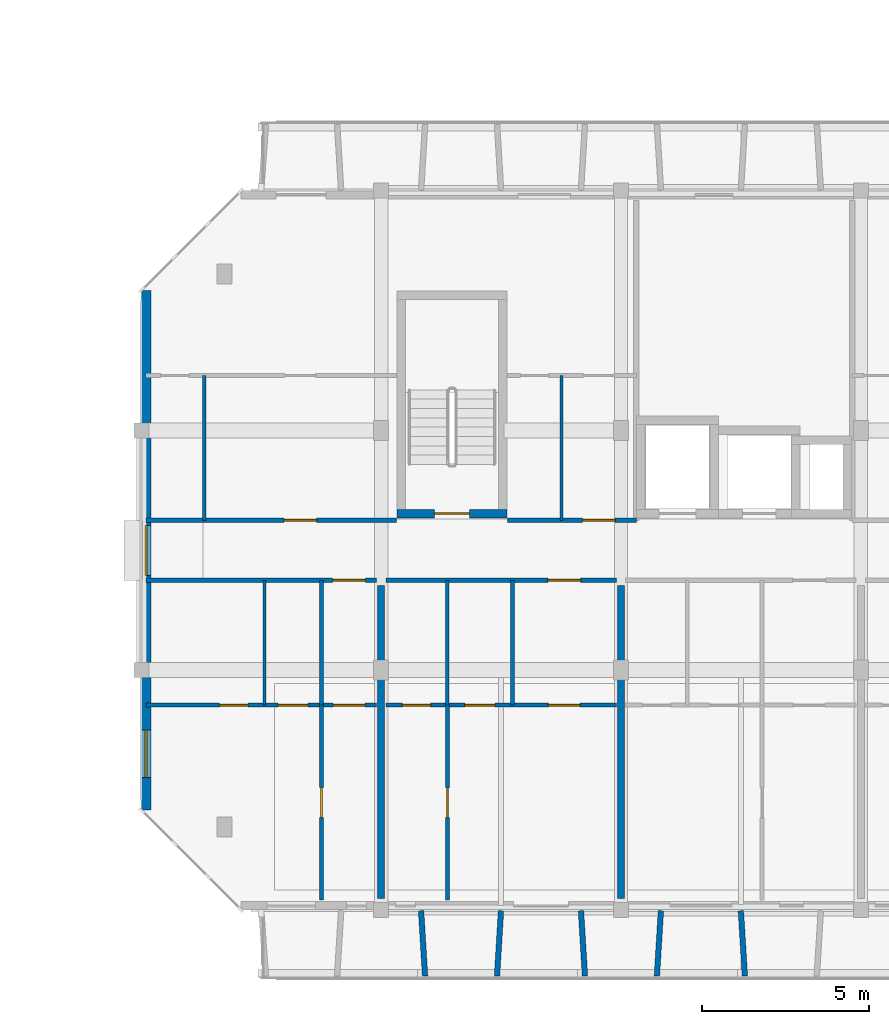
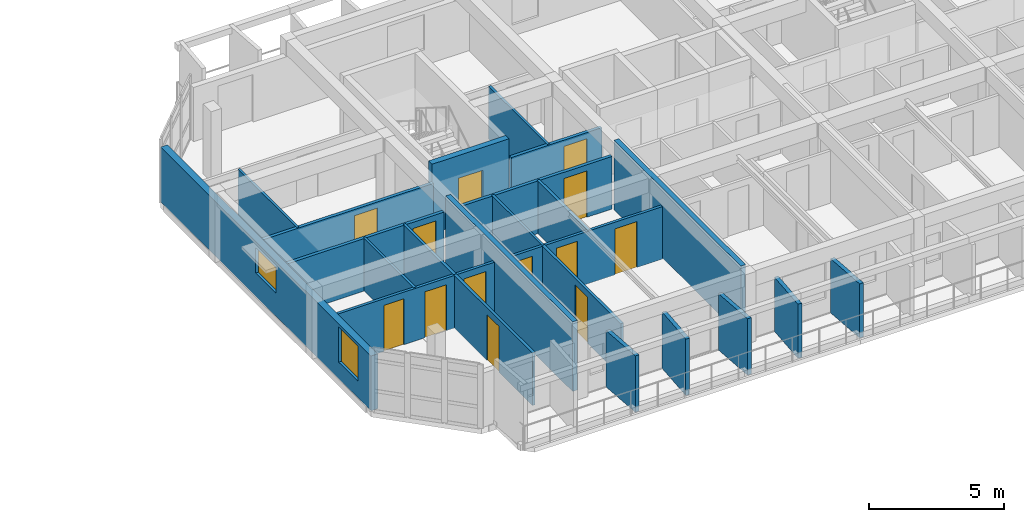
# One storey, part 16 of 31: 23 walls, 13 doors, 2 windows, 15 openings.
"""IFC4 building model written with IfcOpenShell, lengths in metres."""

import ifcopenshell
import ifcopenshell.guid

model = None  # the IFC model being written
_history = None  # IfcOwnerHistory: only IFC2X3 demands one
_inside = {}  # id of a spatial element -> (the spatial element, [elements in it])
_under = {}  # id of a project, library or spatial element -> (it, [spatial elements below it])
_declared = {}  # id of a project -> (the project, [libraries it declares])
_typed = {}  # id of a type object -> (the type object, [elements of that type])
_made_of = {}  # id of a material, layer set ... -> (it, [elements and type objects made of it])


def new_model(schema):
    """Start an empty IFC model of exactly this schema.

    Asked for "IFC4X3", IfcOpenShell would pick the latest addendum, in which some entities
    have other attributes; the version numbers below select the first issue.
    IFC2X3 requires an IfcOwnerHistory on every rooted entity: one is made here for all.
    """
    global model, _history
    if schema == "IFC4X3":
        model = ifcopenshell.file(schema_version=(4, 3, 0, 0))
    else:
        model = ifcopenshell.file(schema=schema)
    _inside.clear()
    _under.clear()
    _declared.clear()
    _typed.clear()
    _made_of.clear()
    _history = None
    if model.schema == "IFC2X3":
        org = make("IfcOrganization", Name="unknown")
        user = make(
            "IfcPersonAndOrganization",
            ThePerson=make("IfcPerson", FamilyName="unknown"),
            TheOrganization=org,
        )
        app = make(
            "IfcApplication",
            ApplicationDeveloper=org,
            Version="unknown",
            ApplicationFullName="unknown",
            ApplicationIdentifier="unknown",
        )
        _history = make(
            "IfcOwnerHistory",
            OwningUser=user,
            OwningApplication=app,
            ChangeAction="ADDED",
            CreationDate=0,
        )
    return model


def make(cls, **values):
    """One entity of the class cls with the attributes given. An attribute that is None is left unset."""
    return model.create_entity(
        cls, **{name: value for name, value in values.items() if value is not None}
    )


def rooted(cls, **values):
    """An entity with a GlobalId (a new one), such as an element, a storey or a relation."""
    return make(cls, GlobalId=ifcopenshell.guid.new(), OwnerHistory=_history, **values)


def si_unit(unit_type, name, prefix=None):
    """IfcSIUnit, for example si_unit("LENGTHUNIT", "METRE", prefix="MILLI")."""
    return make("IfcSIUnit", UnitType=unit_type, Prefix=prefix, Name=name)


def assignment(units):
    """IfcUnitAssignment: the units of a project."""
    return None if units is None else make("IfcUnitAssignment", Units=units)


def point(xyz):
    """IfcCartesianPoint."""
    return None if xyz is None else make("IfcCartesianPoint", Coordinates=xyz)


def direction(xyz):
    """IfcDirection."""
    return None if xyz is None else make("IfcDirection", DirectionRatios=xyz)


def frame(location, z_axis=None, x_axis=None):
    """IfcAxis2Placement3D, a coordinate frame: its origin and axes. An axis left out is left unset."""
    return make(
        "IfcAxis2Placement3D",
        Location=point(location),
        Axis=direction(z_axis),
        RefDirection=direction(x_axis),
    )


def frame_2d(location, x_axis=None):
    """IfcAxis2Placement2D, a coordinate frame in the plane: its origin and x axis."""
    return make(
        "IfcAxis2Placement2D", Location=point(location), RefDirection=direction(x_axis)
    )


def origin():
    """The frame at (0, 0, 0) with its axes left unset."""
    return frame((0.0, 0.0, 0.0))


def place(relative_to, where):
    """IfcLocalPlacement: puts the frame where relative to a parent placement (None: the world)."""
    return make(
        "IfcLocalPlacement", PlacementRelTo=relative_to, RelativePlacement=where
    )


def context(
    kind, dimensions, precision=None, world=None, true_north=None, identifier=None
):
    """IfcGeometricRepresentationContext, for example the 3D "Model" context."""
    return make(
        "IfcGeometricRepresentationContext",
        ContextIdentifier=identifier,
        ContextType=kind,
        CoordinateSpaceDimension=dimensions,
        Precision=precision,
        WorldCoordinateSystem=world,
        TrueNorth=true_north,
    )


def subcontext(parent, identifier, kind, view, scale=None):
    """IfcGeometricRepresentationSubContext, for example "Body" below "Model"."""
    return make(
        "IfcGeometricRepresentationSubContext",
        ContextIdentifier=identifier,
        ContextType=kind,
        ParentContext=parent,
        TargetScale=scale,
        TargetView=view,
    )


def project(units=None, contexts=None):
    """IfcProject with its units and contexts."""
    return rooted(
        "IfcProject",
        Name="project",
        RepresentationContexts=contexts,
        UnitsInContext=assignment(units),
    )


def spatial(cls, under=None, at=None, **own):
    """A site, building, storey or space (cls), placed at a placement, below another one or the project."""
    s = rooted(cls, ObjectPlacement=at, **own)
    if under is not None:
        _under.setdefault(under.id(), (under, []))[1].append(s)
    return s


def profile(cls, at=None, kind="AREA", **sizes):
    """A parametric profile (cls). Its sizes go by their IFC names, for example OverallWidth=200.0."""
    return make(cls, ProfileType=kind, Position=at, **sizes)


def rectangle(**sizes):
    """IfcRectangleProfileDef."""
    return profile("IfcRectangleProfileDef", **sizes)


def extrude(swept, where, along, depth):
    """IfcExtrudedAreaSolid: the profile swept, set in the frame where, extruded along a direction by depth."""
    return make(
        "IfcExtrudedAreaSolid",
        SweptArea=swept,
        Position=where,
        ExtrudedDirection=direction(along),
        Depth=depth,
    )


def shape(context_of_items, identifier, shape_type, items):
    """IfcShapeRepresentation: the items that make up one representation, for example the "Body"."""
    return make(
        "IfcShapeRepresentation",
        ContextOfItems=context_of_items,
        RepresentationIdentifier=identifier,
        RepresentationType=shape_type,
        Items=items,
    )


def material(Name=None, Category=None):
    """IfcMaterial."""
    return make("IfcMaterial", Name=Name, Category=Category)


def layer(
    of_material, thickness, ventilated=None, Name=None, Category=None, Priority=None
):
    """IfcMaterialLayer: one layer of a wall or slab, of a material (None: an air gap)."""
    return make(
        "IfcMaterialLayer",
        Material=of_material,
        LayerThickness=thickness,
        IsVentilated=ventilated,
        Name=Name,
        Category=Category,
        Priority=Priority,
    )


def layer_set(layers, Name=None):
    """IfcMaterialLayerSet."""
    return make("IfcMaterialLayerSet", MaterialLayers=layers, LayerSetName=Name)


def made_of(thing, what):
    """Note that an element or type object is made of a material, layer set ...; save() writes the relation."""
    if what is not None:
        _made_of.setdefault(what.id(), (what, []))[1].append(thing)
    return thing


def type_object(cls, material=None, **own):
    """A type object (cls), such as IfcWallType, which elements share."""
    return made_of(rooted(cls, **own), material)


def element(
    cls,
    number,
    at=None,
    inside=None,
    cuts=None,
    type_object=None,
    material=None,
    context=None,
    identifier="Body",
    shape_type=None,
    held_by="IfcProductDefinitionShape",
    body=None,
    shapes=None,
    **own,
):
    """One element of the class cls, such as IfcWall. Its Tag is "e" and its number.

    at: its placement. inside: the storey or other place that contains it. cuts: it is an
    opening in that element (IfcRelVoidsElement). A single representation is given by context,
    identifier, shape_type and body (its items); several are given by shapes. held_by: the class
    of the entity that holds the representations. save() writes the other relations.
    """
    e = rooted(cls, Tag="e%d" % number, ObjectPlacement=at, **own)
    if body is not None:
        shapes = [shape(context, identifier, shape_type, body)]
    if shapes is not None:
        e.Representation = make(held_by, Representations=shapes)
    if inside is not None:
        _inside.setdefault(inside.id(), (inside, []))[1].append(e)
    if cuts is not None:
        rooted(
            "IfcRelVoidsElement", RelatingBuildingElement=cuts, RelatedOpeningElement=e
        )
    if type_object is not None:
        _typed.setdefault(type_object.id(), (type_object, []))[1].append(e)
    return made_of(e, material)


def fill(opening, filler):
    """IfcRelFillsElement: the door or window that sits in an opening."""
    return rooted(
        "IfcRelFillsElement",
        RelatingOpeningElement=opening,
        RelatedBuildingElement=filler,
    )


def aggregate(whole, parts):
    """IfcRelAggregates: a whole, such as a stair, and the parts it consists of."""
    return rooted("IfcRelAggregates", RelatingObject=whole, RelatedObjects=parts)


def save(model, path):
    """Write the relations noted so far, then the file.

    IfcRelAggregates (storeys below a building ...), IfcRelContainedInSpatialStructure (elements
    in a storey), IfcRelDefinesByType, IfcRelAssociatesMaterial and IfcRelDeclares: one each for
    every whole, place, type object, material and project.
    """
    for whole, parts in _under.values():
        aggregate(whole, parts)
    for where, things in _inside.values():
        rooted(
            "IfcRelContainedInSpatialStructure",
            RelatedElements=things,
            RelatingStructure=where,
        )
    for kind, things in _typed.values():
        rooted("IfcRelDefinesByType", RelatedObjects=things, RelatingType=kind)
    for what, things in _made_of.values():
        rooted("IfcRelAssociatesMaterial", RelatedObjects=things, RelatingMaterial=what)
    for by, libraries in _declared.values():
        rooted("IfcRelDeclares", RelatingContext=by, RelatedDefinitions=libraries)
    model.write(path)


model = new_model("IFC4")

# Units and contexts
model_context = context("Model", 3, precision=1e-05, world=origin(), true_north=direction((0.0, 1.0)))
body_context = subcontext(model_context, "Body", "Model", "MODEL_VIEW")
ifc_project = project(units=[si_unit("LENGTHUNIT", "METRE"), si_unit("AREAUNIT", "SQUARE_METRE"), si_unit("VOLUMEUNIT", "CUBIC_METRE"), si_unit("PLANEANGLEUNIT", "RADIAN"), si_unit("MASSUNIT", "GRAM", prefix="KILO")], contexts=[model_context])

# Site, building, storey
site_placement = place(None, origin())
site = spatial("IfcSite", under=ifc_project, at=site_placement, CompositionType="ELEMENT")
building_placement = place(site_placement, origin())
building = spatial("IfcBuilding", under=site, at=building_placement, Name="Ochrevale Crest", CompositionType="ELEMENT")
storey_placement = place(building_placement, frame((0.0, 0.0, 37.050048828125)))
storey = spatial("IfcBuildingStorey", under=building, at=storey_placement, Name="L11", CompositionType="ELEMENT", Elevation=37.050048828125)

# Wall, opening, door
ifc_material_1 = material(Name="Gypsum plasterboard", Category="gypsum")
ifc_layer_1 = layer(ifc_material_1, 0.139892578125)
ifc_layer_set_1 = layer_set([ifc_layer_1], Name="Gypsum plasterboard")
wall_type_1 = type_object("IfcWallType", Name="WL-COR-140", PredefinedType="PARTITIONING", material=ifc_layer_set_1)
wall_1_placement = place(storey_placement, frame((129.739990234375, 24.300048828125, 0.0), z_axis=(0.0, 0.0, 1.0), x_axis=(1.0, 0.0, 0.0)))
wall_1 = element("IfcWall", 1, at=wall_1_placement, inside=storey, type_object=wall_type_1, Name="Apartment C-L11-U1 corridor wall", PredefinedType="PARTITIONING", context=body_context, shape_type="SweptSolid", body=[
    extrude(rectangle(XDim=6.919921875, YDim=0.139892578125, at=frame_2d((3.4599609375, 0.0))), origin(), (0.0, 0.0, 1.0), 2.3798828125),
])
opening_1_placement = place(wall_1_placement, frame((6.5849609375, 0.0, 0.0), z_axis=(0.0, 0.0, 1.0), x_axis=(-1.0, 0.0, 0.0)))
opening_1 = element("IfcOpeningElement", 2, at=opening_1_placement, cuts=wall_1, Name="Opening FD01", PredefinedType="OPENING", context=body_context, shape_type="SweptSolid", body=[
    extrude(rectangle(XDim=0.97998046875, YDim=2.10009765625, at=frame_2d((0.489990234375, 1.050048828125))), frame((0.0, 0.080078125, 0.0), z_axis=(0.0, -1.0, 0.0), x_axis=(1.0, 0.0, 0.0)), (0.0, 0.0, 1.0), 0.159912109375),
])
ifc_material_2 = material(Name="Solid-core FSC hardwood", Category="wood")
door_type_1 = type_object("IfcDoorType", Name="DR-APT-950", OperationType="NOTDEFINED", PredefinedType="DOOR", material=ifc_material_2)
door_1_placement = place(opening_1_placement, origin())
door_1 = element("IfcDoor", 3, at=door_1_placement, inside=storey, type_object=door_type_1, Name="Apartment C-L11-U1 entrance door", OperationType="SINGLE_SWING_RIGHT", OverallHeight=2.10009765625, OverallWidth=0.97998046875, PredefinedType="DOOR", context=body_context, shape_type="SweptSolid", body=[
    extrude(rectangle(XDim=0.97998046875, YDim=2.10009765625, at=frame_2d((0.489990234375, 1.050048828125))), frame((0.0, 0.02490234375, 0.0), z_axis=(0.0, -1.0, 0.0), x_axis=(1.0, 0.0, 0.0)), (0.0, 0.0, 1.0), 0.050048828125),
])
fill(opening_1, door_1)

wall_2_placement = place(storey_placement, frame((136.93994140625, 24.300048828125, 0.0), z_axis=(0.0, 0.0, 1.0), x_axis=(1.0, 0.0, 0.0)))
wall_2 = element("IfcWall", 4, at=wall_2_placement, inside=storey, type_object=wall_type_1, Name="Apartment C-L11-U2 corridor wall", PredefinedType="PARTITIONING", context=body_context, shape_type="SweptSolid", body=[
    extrude(rectangle(XDim=6.920166015625, YDim=0.139892578125, at=frame_2d((3.4599609375, 0.0))), origin(), (0.0, 0.0, 1.0), 2.3798828125),
])
opening_2_placement = place(wall_2_placement, frame((4.8701171875, 0.0, 0.0)))
opening_2 = element("IfcOpeningElement", 5, at=opening_2_placement, cuts=wall_2, Name="Opening FD01", PredefinedType="OPENING", context=body_context, shape_type="SweptSolid", body=[
    extrude(rectangle(XDim=0.97998046875, YDim=2.10009765625, at=frame_2d((0.489990234375, 1.050048828125))), frame((0.0, 0.080078125, 0.0), z_axis=(0.0, -1.0, 0.0), x_axis=(1.0, 0.0, 0.0)), (0.0, 0.0, 1.0), 0.159912109375),
])
door_2_placement = place(opening_2_placement, origin())
door_2 = element("IfcDoor", 6, at=door_2_placement, inside=storey, type_object=door_type_1, Name="Apartment C-L11-U2 entrance door", OperationType="SINGLE_SWING_LEFT", OverallHeight=2.10009765625, OverallWidth=0.97998046875, PredefinedType="DOOR", context=body_context, shape_type="SweptSolid", body=[
    extrude(rectangle(XDim=0.97998046875, YDim=2.10009765625, at=frame_2d((0.489990234375, 1.050048828125))), frame((0.0, 0.02490234375, 0.0), z_axis=(0.0, -1.0, 0.0), x_axis=(1.0, 0.0, 0.0)), (0.0, 0.0, 1.0), 0.050048828125),
])
fill(opening_2, door_2)

wall_3_placement = place(storey_placement, frame((129.739990234375, 26.10009765625, 0.0), z_axis=(0.0, 0.0, 1.0), x_axis=(1.0, 0.0, 0.0)))
wall_3 = element("IfcWall", 7, at=wall_3_placement, inside=storey, type_object=wall_type_1, Name="Suite C-L11-CW corridor wall", PredefinedType="PARTITIONING", context=body_context, shape_type="SweptSolid", body=[
    extrude(rectangle(XDim=7.52001953125, YDim=0.139892578125, at=frame_2d((3.760009765625, 0.0))), origin(), (0.0, 0.0, 1.0), 2.3798828125),
])
opening_3_placement = place(wall_3_placement, frame((4.14501953125, 0.0, 0.0)))
opening_3 = element("IfcOpeningElement", 8, at=opening_3_placement, cuts=wall_3, Name="Opening FD01", PredefinedType="OPENING", context=body_context, shape_type="SweptSolid", body=[
    extrude(rectangle(XDim=0.97998046875, YDim=2.10009765625, at=frame_2d((0.489990234375, 1.050048828125))), frame((0.0, 0.080078125, 0.0), z_axis=(0.0, -1.0, 0.0), x_axis=(1.0, 0.0, 0.0)), (0.0, 0.0, 1.0), 0.159912109375),
])
door_3_placement = place(opening_3_placement, origin())
door_3 = element("IfcDoor", 9, at=door_3_placement, inside=storey, type_object=door_type_1, Name="Suite C-L11-CW entrance door", OperationType="SINGLE_SWING_LEFT", OverallHeight=2.10009765625, OverallWidth=0.97998046875, PredefinedType="DOOR", context=body_context, shape_type="SweptSolid", body=[
    extrude(rectangle(XDim=0.97998046875, YDim=2.10009765625, at=frame_2d((0.489990234375, 1.050048828125))), frame((0.0, 0.02490234375, 0.0), z_axis=(0.0, -1.0, 0.0), x_axis=(1.0, 0.0, 0.0)), (0.0, 0.0, 1.0), 0.050048828125),
])
fill(opening_3, door_3)

wall_4_placement = place(storey_placement, frame((140.590087890625, 26.10009765625, 0.0), z_axis=(0.0, 0.0, 1.0), x_axis=(1.0, 0.0, 0.0)))
wall_4 = element("IfcWall", 10, at=wall_4_placement, inside=storey, type_object=wall_type_1, Name="Suite C-L11-MW corridor wall", PredefinedType="PARTITIONING", context=body_context, shape_type="SweptSolid", body=[
    extrude(rectangle(XDim=3.869873046875, YDim=0.139892578125, at=frame_2d((1.93505859375, 0.0))), origin(), (0.0, 0.0, 1.0), 2.3798828125),
])
opening_4_placement = place(wall_4_placement, frame((3.23779296875, 0.0, 0.0), z_axis=(0.0, 0.0, 1.0), x_axis=(-1.0, 0.0, 0.0)))
opening_4 = element("IfcOpeningElement", 11, at=opening_4_placement, cuts=wall_4, Name="Opening FD01", PredefinedType="OPENING", context=body_context, shape_type="SweptSolid", body=[
    extrude(rectangle(XDim=0.97998046875, YDim=2.10009765625, at=frame_2d((0.489990234375, 1.050048828125))), frame((0.0, 0.080078125, 0.0), z_axis=(0.0, -1.0, 0.0), x_axis=(1.0, 0.0, 0.0)), (0.0, 0.0, 1.0), 0.159912109375),
])
door_4_placement = place(opening_4_placement, origin())
door_4 = element("IfcDoor", 12, at=door_4_placement, inside=storey, type_object=door_type_1, Name="Suite C-L11-MW entrance door", OperationType="SINGLE_SWING_RIGHT", OverallHeight=2.10009765625, OverallWidth=0.97998046875, PredefinedType="DOOR", context=body_context, shape_type="SweptSolid", body=[
    extrude(rectangle(XDim=0.97998046875, YDim=2.10009765625, at=frame_2d((0.489990234375, 1.050048828125))), frame((0.0, 0.02490234375, 0.0), z_axis=(0.0, -1.0, 0.0), x_axis=(1.0, 0.0, 0.0)), (0.0, 0.0, 1.0), 0.050048828125),
])
fill(opening_4, door_4)

ifc_material_3 = material(Name="Precast concrete C50/60", Category="concrete")
ifc_layer_2 = layer(ifc_material_3, 0.2548828125)
ifc_layer_set_2 = layer_set([ifc_layer_2], Name="Precast concrete C50/60")
wall_type_2 = type_object("IfcWallType", Name="WL-CORE-255", PredefinedType="SHEAR", material=ifc_layer_set_2)
wall_5_placement = place(storey_placement, frame((137.2724609375, 26.300048828125, 0.0), z_axis=(0.0, 0.0, 1.0), x_axis=(1.0, 0.0, 0.0)))
wall_5 = element("IfcWall", 13, at=wall_5_placement, inside=storey, type_object=wall_type_2, Name="Block C L11 Stair 1 precast core shear wall S", PredefinedType="SHEAR", context=body_context, shape_type="SweptSolid", body=[
    extrude(rectangle(XDim=3.304931640625, YDim=0.2548828125, at=frame_2d((1.65234375, 0.0))), origin(), (0.0, 0.0, 1.0), 3.14990234375),
])
opening_5_placement = place(wall_5_placement, frame((2.177490234375, 0.0, 0.0), z_axis=(0.0, 0.0, 1.0), x_axis=(-1.0, 0.0, 0.0)))
opening_5 = element("IfcOpeningElement", 14, at=opening_5_placement, cuts=wall_5, Name="Opening FD03", PredefinedType="OPENING", context=body_context, shape_type="SweptSolid", body=[
    extrude(rectangle(XDim=1.050048828125, YDim=2.1201171875, at=frame_2d((0.52490234375, 1.06005859375))), frame((0.0, 0.137451171875, 0.0), z_axis=(0.0, -1.0, 0.0), x_axis=(1.0, 0.0, 0.0)), (0.0, 0.0, 1.0), 0.27490234375),
])
door_type_2 = type_object("IfcDoorType", Name="DR-ST-1050", OperationType="NOTDEFINED", PredefinedType="DOOR", material=ifc_material_2)
door_5_placement = place(opening_5_placement, origin())
door_5 = element("IfcDoor", 15, at=door_5_placement, inside=storey, type_object=door_type_2, Name="Block C L11 fire stair 1 door", OperationType="SINGLE_SWING_RIGHT", OverallHeight=2.1201171875, OverallWidth=1.050048828125, PredefinedType="DOOR", context=body_context, shape_type="SweptSolid", body=[
    extrude(rectangle(XDim=1.050048828125, YDim=2.1201171875, at=frame_2d((0.52490234375, 1.06005859375))), frame((0.0, 0.02490234375, 0.0), z_axis=(0.0, -1.0, 0.0), x_axis=(1.0, 0.0, 0.0)), (0.0, 0.0, 1.0), 0.050048828125),
])
fill(opening_5, door_5)

# Wall, openings, windows
ifc_material_4 = material(Name="Clay face brickwork", Category="masonry")
ifc_layer_3 = layer(ifc_material_4, 0.2900390625)
ifc_layer_set_3 = layer_set([ifc_layer_3], Name="Clay face brickwork")
wall_type_3 = type_object("IfcWallType", Name="WL-EXT-BRICK-290", PredefinedType="SOLIDWALL", material=ifc_layer_set_3)
wall_6_placement = place(storey_placement, frame((129.7451171875, 33.0, 0.0), z_axis=(0.0, 0.0, 1.0), x_axis=(0.0, -1.0, 0.0)))
wall_6 = element("IfcWall", 16, at=wall_6_placement, inside=storey, type_object=wall_type_3, Name="Block C L11 external facade wall E7", PredefinedType="SOLIDWALL", context=body_context, shape_type="SweptSolid", body=[
    extrude(rectangle(XDim=15.60009765625, YDim=0.2900390625, at=frame_2d((7.800048828125, 0.0))), origin(), (0.0, 0.0, 1.0), 2.47998046875),
])
opening_6_placement = place(wall_6_placement, frame((7.050048828125, 0.0, 1.050048828125)))
opening_6 = element("IfcOpeningElement", 17, at=opening_6_placement, cuts=wall_6, Name="Opening W18", PredefinedType="OPENING", context=body_context, shape_type="SweptSolid", body=[
    extrude(rectangle(XDim=1.5, YDim=1.14990234375, at=frame_2d((0.75, 0.574951171875))), frame((0.0, 0.155029296875, 0.0), z_axis=(0.0, -1.0, 0.0), x_axis=(1.0, 0.0, 0.0)), (0.0, 0.0, 1.0), 0.31005859375),
])
opening_7_placement = place(wall_6_placement, frame((13.199951171875, 0.0, 0.75)))
opening_7 = element("IfcOpeningElement", 18, at=opening_7_placement, cuts=wall_6, Name="Opening W31", PredefinedType="OPENING", context=body_context, shape_type="SweptSolid", body=[
    extrude(rectangle(XDim=1.419921875, YDim=1.60009765625, at=frame_2d((0.7099609375, 0.800048828125))), frame((0.0, 0.155029296875, 0.0), z_axis=(0.0, -1.0, 0.0), x_axis=(1.0, 0.0, 0.0)), (0.0, 0.0, 1.0), 0.31005859375),
])
ifc_material_5 = material(Name="Anodised aluminium 6063-T5 and low-E double glazing", Category="aluminium")
window_type_1 = type_object("IfcWindowType", Name="WIN-W18", PartitioningType="SINGLE_PANEL", PredefinedType="WINDOW", material=ifc_material_5)
window_1_placement = place(opening_6_placement, origin())
window_1 = element("IfcWindow", 19, at=window_1_placement, inside=storey, type_object=window_type_1, Name="Block C L11 corridor end daylight window W", OverallHeight=1.14990234375, OverallWidth=1.5, PartitioningType="SINGLE_PANEL", PredefinedType="WINDOW", context=body_context, shape_type="SweptSolid", body=[
    extrude(rectangle(XDim=1.5, YDim=1.14990234375, at=frame_2d((0.75, 0.574951171875))), frame((0.0, 0.030029296875, 0.0), z_axis=(0.0, -1.0, 0.0), x_axis=(1.0, 0.0, 0.0)), (0.0, 0.0, 1.0), 0.06005859375),
])
fill(opening_6, window_1)
window_type_2 = type_object("IfcWindowType", Name="WIN-W31", PartitioningType="SINGLE_PANEL", PredefinedType="WINDOW", material=ifc_material_5)
window_2_placement = place(opening_7_placement, origin())
window_2 = element("IfcWindow", 20, at=window_2_placement, inside=storey, type_object=window_type_2, Name="Block C L11 side suite window W", OverallHeight=1.60009765625, OverallWidth=1.419921875, PartitioningType="SINGLE_PANEL", PredefinedType="WINDOW", context=body_context, shape_type="SweptSolid", body=[
    extrude(rectangle(XDim=1.419921875, YDim=1.60009765625, at=frame_2d((0.7099609375, 0.800048828125))), frame((0.0, 0.030029296875, 0.0), z_axis=(0.0, -1.0, 0.0), x_axis=(1.0, 0.0, 0.0)), (0.0, 0.0, 1.0), 0.06005859375),
])
fill(opening_7, window_2)

# Walls
ifc_material_6 = material(Name="Precast concrete C40/50", Category="concrete")
ifc_layer_4 = layer(ifc_material_6, 0.1650390625)
ifc_layer_set_4 = layer_set([ifc_layer_4], Name="Precast concrete C40/50")
wall_type_4 = type_object("IfcWallType", Name="WL-HC-CHEEK-165", PredefinedType="ELEMENTEDWALL", material=ifc_layer_set_4)
for number, where, z_axis, x_axis, name in (
    (21, (138.0, 14.3798828125, 0.0), (0.0, 0.0, 1.0), (0.061170732449, -0.998127317276, 0.0), "Block C L11 S precast honeycomb cheek 3"),
    (22, (140.39990234375, 14.3798828125, 0.0), (0.0, 0.0, 1.0), (-0.061046865508, -0.998134900808, 0.0), "Block C L11 S precast honeycomb cheek 4"),
    (23, (142.800048828125, 14.3798828125, 0.0), (0.0, 0.0, 1.0), (0.061046865508, -0.998134900808, 0.0), "Block C L11 S precast honeycomb cheek 5"),
):
    element("IfcWall", number, at=place(storey_placement, frame(where, z_axis=z_axis, x_axis=x_axis)), inside=storey, type_object=wall_type_4, Name=name, PredefinedType="ELEMENTEDWALL", context=body_context, shape_type="SweptSolid", body=[
        extrude(rectangle(XDim=1.963623046875, YDim=0.1650390625, at=frame_2d((0.98193359375, 0.0))), origin(), (0.0, 0.0, 1.0), 2.550048828125),
    ])
for number, where, z_axis, x_axis, name in (
    (24, (145.199951171875, 14.3798828125, 0.0), (0.0, 0.0, 1.0), (-0.061046865508, -0.998134900808, 0.0), "Block C L11 S precast honeycomb cheek 6"),
    (25, (147.60009765625, 14.3798828125, 0.0), (0.0, 0.0, 1.0), (0.061046865508, -0.998134900808, 0.0), "Block C L11 S precast honeycomb cheek 7"),
):
    element("IfcWall", number, at=place(storey_placement, frame(where, z_axis=z_axis, x_axis=x_axis)), inside=storey, type_object=wall_type_4, Name=name, PredefinedType="ELEMENTEDWALL", context=body_context, shape_type="SweptSolid", body=[
        extrude(rectangle(XDim=1.963623046875, YDim=0.1650390625, at=frame_2d((0.98193359375, 0.0))), origin(), (0.0, 0.0, 1.0), 2.449951171875),
    ])
ifc_layer_5 = layer(ifc_material_1, 0.1201171875)
ifc_layer_set_5 = layer_set([ifc_layer_5], Name="Gypsum plasterboard")
wall_type_5 = type_object("IfcWallType", Name="WL-PART-120", PredefinedType="PARTITIONING", material=ifc_layer_set_5)
wall_7_placement = place(storey_placement, frame((135.010009765625, 20.550048828125, 0.0), z_axis=(0.0, 0.0, 1.0), x_axis=(0.0, 1.0, 0.0)))
element("IfcWall", 26, at=wall_7_placement, inside=storey, type_object=wall_type_5, Name="Apartment C-L11-U1 kitchen-foyer wall", PredefinedType="PARTITIONING", context=body_context, shape_type="SweptSolid", body=[
    extrude(rectangle(XDim=3.75, YDim=0.1201171875, at=frame_2d((1.875, 0.0))), origin(), (0.0, 0.0, 1.0), 2.3798828125),
])

# Wall, openings, doors
wall_8_placement = place(storey_placement, frame((129.739990234375, 20.550048828125, 0.0), z_axis=(0.0, 0.0, 1.0), x_axis=(1.0, 0.0, 0.0)))
wall_8 = element("IfcWall", 27, at=wall_8_placement, inside=storey, type_object=wall_type_5, Name="Apartment C-L11-U1 central partition", PredefinedType="PARTITIONING", context=body_context, shape_type="SweptSolid", body=[
    extrude(rectangle(XDim=6.919921875, YDim=0.1201171875, at=frame_2d((3.4599609375, 0.0))), origin(), (0.0, 0.0, 1.0), 2.3798828125),
])
opening_8_placement = place(wall_8_placement, frame((2.2099609375, 0.0, 0.0)))
opening_8 = element("IfcOpeningElement", 28, at=opening_8_placement, cuts=wall_8, Name="Opening ID01", PredefinedType="OPENING", context=body_context, shape_type="SweptSolid", body=[
    extrude(rectangle(XDim=0.85009765625, YDim=2.080078125, at=frame_2d((0.425048828125, 1.0400390625))), frame((0.0, 0.070068359375, 0.0), z_axis=(0.0, -1.0, 0.0), x_axis=(1.0, 0.0, 0.0)), (0.0, 0.0, 1.0), 0.14013671875),
])
opening_9_placement = place(wall_8_placement, frame((4.864990234375, 0.0, 0.0), z_axis=(0.0, 0.0, 1.0), x_axis=(-1.0, 0.0, 0.0)))
opening_9 = element("IfcOpeningElement", 29, at=opening_9_placement, cuts=wall_8, Name="Opening ID02", PredefinedType="OPENING", context=body_context, shape_type="SweptSolid", body=[
    extrude(rectangle(XDim=0.89990234375, YDim=2.080078125, at=frame_2d((0.449951171875, 1.0400390625))), frame((0.0, 0.070068359375, 0.0), z_axis=(0.0, -1.0, 0.0), x_axis=(1.0, 0.0, 0.0)), (0.0, 0.0, 1.0), 0.14013671875),
])
opening_10_placement = place(wall_8_placement, frame((5.6201171875, 0.0, 0.0)))
opening_10 = element("IfcOpeningElement", 30, at=opening_10_placement, cuts=wall_8, Name="Opening ID06", PredefinedType="OPENING", context=body_context, shape_type="SweptSolid", body=[
    extrude(rectangle(XDim=0.949951171875, YDim=2.080078125, at=frame_2d((0.47509765625, 1.0400390625))), frame((0.0, 0.070068359375, 0.0), z_axis=(0.0, -1.0, 0.0), x_axis=(1.0, 0.0, 0.0)), (0.0, 0.0, 1.0), 0.14013671875),
])
door_type_3 = type_object("IfcDoorType", Name="DR-INT-900", OperationType="NOTDEFINED", PredefinedType="DOOR", material=ifc_material_2)
door_6_placement = place(opening_9_placement, origin())
door_6 = element("IfcDoor", 31, at=door_6_placement, inside=storey, type_object=door_type_3, Name="Apartment C-L11-U1 Kitchen door", OperationType="SINGLE_SWING_RIGHT", OverallHeight=2.080078125, OverallWidth=0.89990234375, PredefinedType="DOOR", context=body_context, shape_type="SweptSolid", body=[
    extrude(rectangle(XDim=0.89990234375, YDim=2.080078125, at=frame_2d((0.449951171875, 1.0400390625))), frame((0.0, 0.02490234375, 0.0), z_axis=(0.0, -1.0, 0.0), x_axis=(1.0, 0.0, 0.0)), (0.0, 0.0, 1.0), 0.050048828125),
])
fill(opening_9, door_6)
door_type_4 = type_object("IfcDoorType", Name="DR-INT-950", OperationType="NOTDEFINED", PredefinedType="DOOR", material=ifc_material_2)
door_7_placement = place(opening_10_placement, origin())
door_7 = element("IfcDoor", 32, at=door_7_placement, inside=storey, type_object=door_type_4, Name="Apartment C-L11-U1 Living Foyer door", OperationType="SINGLE_SWING_LEFT", OverallHeight=2.080078125, OverallWidth=0.949951171875, PredefinedType="DOOR", context=body_context, shape_type="SweptSolid", body=[
    extrude(rectangle(XDim=0.949951171875, YDim=2.080078125, at=frame_2d((0.47509765625, 1.0400390625))), frame((0.0, 0.02490234375, 0.0), z_axis=(0.0, -1.0, 0.0), x_axis=(1.0, 0.0, 0.0)), (0.0, 0.0, 1.0), 0.050048828125),
])
fill(opening_10, door_7)
door_type_5 = type_object("IfcDoorType", Name="DR-WC-850", OperationType="NOTDEFINED", PredefinedType="DOOR", material=ifc_material_2)
door_8_placement = place(opening_8_placement, origin())
door_8 = element("IfcDoor", 33, at=door_8_placement, inside=storey, type_object=door_type_5, Name="Apartment C-L11-U1 Bathroom door", OperationType="SINGLE_SWING_LEFT", OverallHeight=2.080078125, OverallWidth=0.85009765625, PredefinedType="DOOR", context=body_context, shape_type="SweptSolid", body=[
    extrude(rectangle(XDim=0.85009765625, YDim=2.080078125, at=frame_2d((0.425048828125, 1.0400390625))), frame((0.0, 0.02490234375, 0.0), z_axis=(0.0, -1.0, 0.0), x_axis=(1.0, 0.0, 0.0)), (0.0, 0.0, 1.0), 0.050048828125),
])
fill(opening_8, door_8)

# Wall, opening, door
wall_9_placement = place(storey_placement, frame((135.010009765625, 14.699951171875, 0.0), z_axis=(0.0, 0.0, 1.0), x_axis=(0.0, 1.0, 0.0)))
wall_9 = element("IfcWall", 34, at=wall_9_placement, inside=storey, type_object=wall_type_5, Name="Apartment C-L11-U1 bedroom partition", PredefinedType="PARTITIONING", context=body_context, shape_type="SweptSolid", body=[
    extrude(rectangle(XDim=5.85009765625, YDim=0.1201171875, at=frame_2d((2.925048828125, 0.0))), origin(), (0.0, 0.0, 1.0), 2.3798828125),
])
opening_11_placement = place(wall_9_placement, frame((3.375, 0.0, 0.0), z_axis=(0.0, 0.0, 1.0), x_axis=(-1.0, 0.0, 0.0)))
opening_11 = element("IfcOpeningElement", 35, at=opening_11_placement, cuts=wall_9, Name="Opening ID02", PredefinedType="OPENING", context=body_context, shape_type="SweptSolid", body=[
    extrude(rectangle(XDim=0.89990234375, YDim=2.080078125, at=frame_2d((0.449951171875, 1.0400390625))), frame((0.0, 0.070068359375, 0.0), z_axis=(0.0, -1.0, 0.0), x_axis=(1.0, 0.0, 0.0)), (0.0, 0.0, 1.0), 0.14013671875),
])
door_9_placement = place(opening_11_placement, origin())
door_9 = element("IfcDoor", 36, at=door_9_placement, inside=storey, type_object=door_type_3, Name="Apartment C-L11-U1 Double Bedroom door", OperationType="SINGLE_SWING_RIGHT", OverallHeight=2.080078125, OverallWidth=0.89990234375, PredefinedType="DOOR", context=body_context, shape_type="SweptSolid", body=[
    extrude(rectangle(XDim=0.89990234375, YDim=2.080078125, at=frame_2d((0.449951171875, 1.0400390625))), frame((0.0, 0.02490234375, 0.0), z_axis=(0.0, -1.0, 0.0), x_axis=(1.0, 0.0, 0.0)), (0.0, 0.0, 1.0), 0.050048828125),
])
fill(opening_11, door_9)

# Wall
wall_10_placement = place(storey_placement, frame((140.739990234375, 20.550048828125, 0.0), z_axis=(0.0, 0.0, 1.0), x_axis=(0.0, 1.0, 0.0)))
element("IfcWall", 37, at=wall_10_placement, inside=storey, type_object=wall_type_5, Name="Apartment C-L11-U2 kitchen-foyer wall", PredefinedType="PARTITIONING", context=body_context, shape_type="SweptSolid", body=[
    extrude(rectangle(XDim=3.75, YDim=0.1201171875, at=frame_2d((1.875, 0.0))), origin(), (0.0, 0.0, 1.0), 2.3798828125),
])

# Wall, openings, doors
wall_11_placement = place(storey_placement, frame((136.93994140625, 20.550048828125, 0.0), z_axis=(0.0, 0.0, 1.0), x_axis=(1.0, 0.0, 0.0)))
wall_11 = element("IfcWall", 38, at=wall_11_placement, inside=storey, type_object=wall_type_5, Name="Apartment C-L11-U2 central partition", PredefinedType="PARTITIONING", context=body_context, shape_type="SweptSolid", body=[
    extrude(rectangle(XDim=6.920166015625, YDim=0.1201171875, at=frame_2d((3.4599609375, 0.0))), origin(), (0.0, 0.0, 1.0), 2.3798828125),
])
opening_12_placement = place(wall_11_placement, frame((1.35009765625, 0.0, 0.0), z_axis=(0.0, 0.0, 1.0), x_axis=(-1.0, 0.0, 0.0)))
opening_12 = element("IfcOpeningElement", 39, at=opening_12_placement, cuts=wall_11, Name="Opening ID01", PredefinedType="OPENING", context=body_context, shape_type="SweptSolid", body=[
    extrude(rectangle(XDim=0.85009765625, YDim=2.080078125, at=frame_2d((0.425048828125, 1.0400390625))), frame((0.0, 0.070068359375, 0.0), z_axis=(0.0, -1.0, 0.0), x_axis=(1.0, 0.0, 0.0)), (0.0, 0.0, 1.0), 0.14013671875),
])
opening_13_placement = place(wall_11_placement, frame((2.375, 0.0, 0.0)))
opening_13 = element("IfcOpeningElement", 40, at=opening_13_placement, cuts=wall_11, Name="Opening ID02", PredefinedType="OPENING", context=body_context, shape_type="SweptSolid", body=[
    extrude(rectangle(XDim=0.89990234375, YDim=2.080078125, at=frame_2d((0.449951171875, 1.0400390625))), frame((0.0, 0.070068359375, 0.0), z_axis=(0.0, -1.0, 0.0), x_axis=(1.0, 0.0, 0.0)), (0.0, 0.0, 1.0), 0.14013671875),
])
opening_14_placement = place(wall_11_placement, frame((5.8349609375, 0.0, 0.0), z_axis=(0.0, 0.0, 1.0), x_axis=(-1.0, 0.0, 0.0)))
opening_14 = element("IfcOpeningElement", 41, at=opening_14_placement, cuts=wall_11, Name="Opening ID06", PredefinedType="OPENING", context=body_context, shape_type="SweptSolid", body=[
    extrude(rectangle(XDim=0.949951171875, YDim=2.080078125, at=frame_2d((0.47509765625, 1.0400390625))), frame((0.0, 0.070068359375, 0.0), z_axis=(0.0, -1.0, 0.0), x_axis=(1.0, 0.0, 0.0)), (0.0, 0.0, 1.0), 0.14013671875),
])
door_10_placement = place(opening_13_placement, origin())
door_10 = element("IfcDoor", 42, at=door_10_placement, inside=storey, type_object=door_type_3, Name="Apartment C-L11-U2 Kitchen door", OperationType="SINGLE_SWING_LEFT", OverallHeight=2.080078125, OverallWidth=0.89990234375, PredefinedType="DOOR", context=body_context, shape_type="SweptSolid", body=[
    extrude(rectangle(XDim=0.89990234375, YDim=2.080078125, at=frame_2d((0.449951171875, 1.0400390625))), frame((0.0, 0.02490234375, 0.0), z_axis=(0.0, -1.0, 0.0), x_axis=(1.0, 0.0, 0.0)), (0.0, 0.0, 1.0), 0.050048828125),
])
fill(opening_13, door_10)
door_11_placement = place(opening_14_placement, origin())
door_11 = element("IfcDoor", 43, at=door_11_placement, inside=storey, type_object=door_type_4, Name="Apartment C-L11-U2 Living Foyer door", OperationType="SINGLE_SWING_RIGHT", OverallHeight=2.080078125, OverallWidth=0.949951171875, PredefinedType="DOOR", context=body_context, shape_type="SweptSolid", body=[
    extrude(rectangle(XDim=0.949951171875, YDim=2.080078125, at=frame_2d((0.47509765625, 1.0400390625))), frame((0.0, 0.02490234375, 0.0), z_axis=(0.0, -1.0, 0.0), x_axis=(1.0, 0.0, 0.0)), (0.0, 0.0, 1.0), 0.050048828125),
])
fill(opening_14, door_11)
door_12_placement = place(opening_12_placement, origin())
door_12 = element("IfcDoor", 44, at=door_12_placement, inside=storey, type_object=door_type_5, Name="Apartment C-L11-U2 Bathroom door", OperationType="SINGLE_SWING_RIGHT", OverallHeight=2.080078125, OverallWidth=0.85009765625, PredefinedType="DOOR", context=body_context, shape_type="SweptSolid", body=[
    extrude(rectangle(XDim=0.85009765625, YDim=2.080078125, at=frame_2d((0.425048828125, 1.0400390625))), frame((0.0, 0.02490234375, 0.0), z_axis=(0.0, -1.0, 0.0), x_axis=(1.0, 0.0, 0.0)), (0.0, 0.0, 1.0), 0.050048828125),
])
fill(opening_12, door_12)

# Wall, opening, door
wall_12_placement = place(storey_placement, frame((138.7900390625, 14.699951171875, 0.0), z_axis=(0.0, 0.0, 1.0), x_axis=(0.0, 1.0, 0.0)))
wall_12 = element("IfcWall", 45, at=wall_12_placement, inside=storey, type_object=wall_type_5, Name="Apartment C-L11-U2 bedroom partition", PredefinedType="PARTITIONING", context=body_context, shape_type="SweptSolid", body=[
    extrude(rectangle(XDim=5.85009765625, YDim=0.1201171875, at=frame_2d((2.925048828125, 0.0))), origin(), (0.0, 0.0, 1.0), 2.3798828125),
])
opening_15_placement = place(wall_12_placement, frame((2.47509765625, 0.0, 0.0)))
opening_15 = element("IfcOpeningElement", 46, at=opening_15_placement, cuts=wall_12, Name="Opening ID02", PredefinedType="OPENING", context=body_context, shape_type="SweptSolid", body=[
    extrude(rectangle(XDim=0.89990234375, YDim=2.080078125, at=frame_2d((0.449951171875, 1.0400390625))), frame((0.0, 0.070068359375, 0.0), z_axis=(0.0, -1.0, 0.0), x_axis=(1.0, 0.0, 0.0)), (0.0, 0.0, 1.0), 0.14013671875),
])
door_13_placement = place(opening_15_placement, origin())
door_13 = element("IfcDoor", 47, at=door_13_placement, inside=storey, type_object=door_type_3, Name="Apartment C-L11-U2 Master Bedroom door", OperationType="SINGLE_SWING_LEFT", OverallHeight=2.080078125, OverallWidth=0.89990234375, PredefinedType="DOOR", context=body_context, shape_type="SweptSolid", body=[
    extrude(rectangle(XDim=0.89990234375, YDim=2.080078125, at=frame_2d((0.449951171875, 1.0400390625))), frame((0.0, 0.02490234375, 0.0), z_axis=(0.0, -1.0, 0.0), x_axis=(1.0, 0.0, 0.0)), (0.0, 0.0, 1.0), 0.050048828125),
])
fill(opening_15, door_13)

# Walls
ifc_layer_6 = layer(ifc_material_6, 0.2099609375)
ifc_layer_set_6 = layer_set([ifc_layer_6], Name="Precast concrete C40/50")
wall_type_6 = type_object("IfcWallType", Name="WL-SHEAR-210", PredefinedType="SHEAR", material=ifc_layer_set_6)
for number, where, z_axis, x_axis, name in (
    (48, (136.800048828125, 14.75, 0.0), (0.0, 0.0, 1.0), (0.0, 1.0, 0.0), "Block C L11 load-bearing precast cross-wall X=136.8"),
    (49, (144.0, 14.75, 0.0), (0.0, 0.0, 1.0), (0.0, 1.0, 0.0), "Block C L11 load-bearing precast cross-wall X=144.0"),
):
    element("IfcWall", number, at=place(storey_placement, frame(where, z_axis=z_axis, x_axis=x_axis)), inside=storey, type_object=wall_type_6, Name=name, PredefinedType="SHEAR", context=body_context, shape_type="SweptSolid", body=[
        extrude(rectangle(XDim=9.39990234375, YDim=0.2099609375, at=frame_2d((4.699951171875, 0.0))), origin(), (0.0, 0.0, 1.0), 3.14990234375),
    ])
ifc_layer_7 = layer(ifc_material_1, 0.10009765625)
ifc_layer_set_7 = layer_set([ifc_layer_7], Name="Gypsum plasterboard")
wall_type_7 = type_object("IfcWallType", Name="WL-WET-100", PredefinedType="PARTITIONING", material=ifc_layer_set_7)
for number, where, z_axis, x_axis, name in (
    (50, (133.300048828125, 20.550048828125, 0.0), (0.0, 0.0, 1.0), (0.0, 1.0, 0.0), "Apartment C-L11-U1 bath-kitchen wall"),
    (51, (138.7900390625, 20.550048828125, 0.0), (0.0, 0.0, 1.0), (0.0, 1.0, 0.0), "Apartment C-L11-U2 bath-kitchen wall"),
):
    element("IfcWall", number, at=place(storey_placement, frame(where, z_axis=z_axis, x_axis=x_axis)), inside=storey, type_object=wall_type_7, Name=name, PredefinedType="PARTITIONING", context=body_context, shape_type="SweptSolid", body=[
        extrude(rectangle(XDim=3.75, YDim=0.10009765625, at=frame_2d((1.875, 0.0))), origin(), (0.0, 0.0, 1.0), 2.3798828125),
    ])
for number, where, z_axis, x_axis, name in (
    (52, (131.489990234375, 26.10009765625, 0.0), (0.0, 0.0, 1.0), (0.0, 1.0, 0.0), "Suite C-L11-CW bathroom divider"),
    (53, (142.21533203125, 26.10009765625, 0.0), (0.0, 0.0, 1.0), (0.0, 1.0, 0.0), "Suite C-L11-MW bathroom divider"),
):
    element("IfcWall", number, at=place(storey_placement, frame(where, z_axis=z_axis, x_axis=x_axis)), inside=storey, type_object=wall_type_7, Name=name, PredefinedType="PARTITIONING", context=body_context, shape_type="SweptSolid", body=[
        extrude(rectangle(XDim=4.349853515625, YDim=0.10009765625, at=frame_2d((2.1748046875, 0.0))), origin(), (0.0, 0.0, 1.0), 2.3798828125),
    ])

save(model, "model.ifc")
